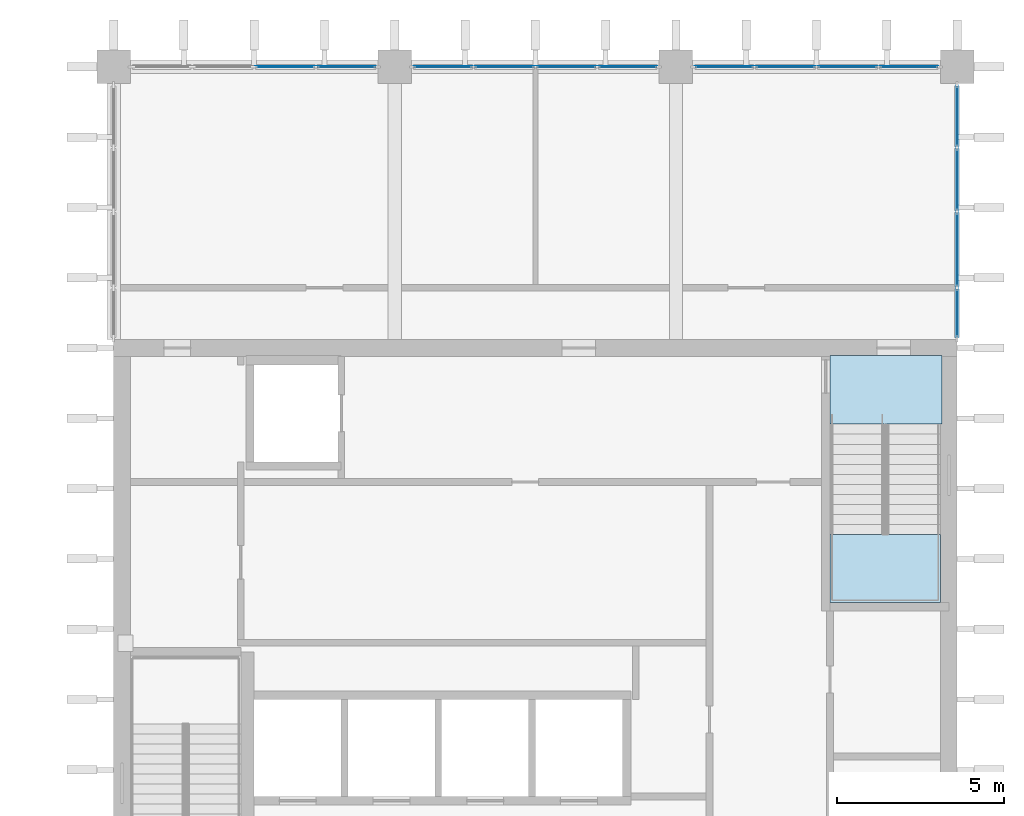
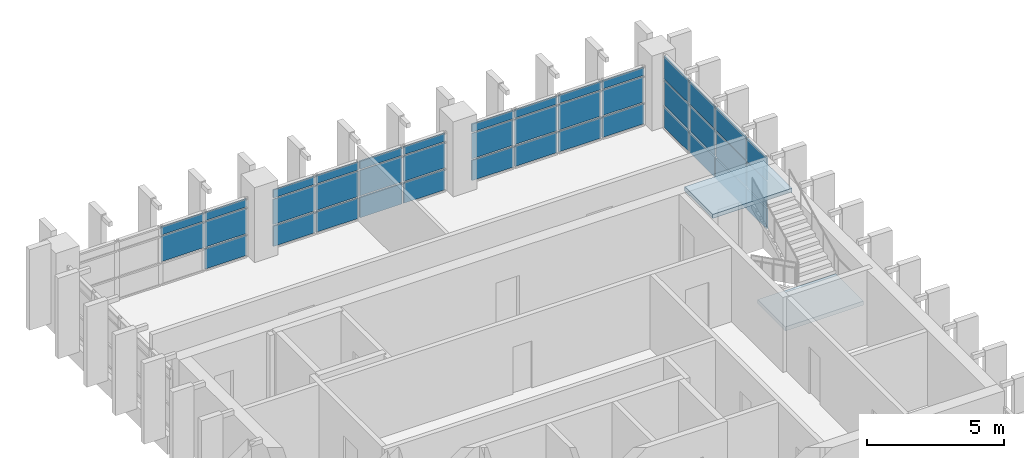
# One storey, part 10 of 24: 41 plates, 2 slabs, 5 elements without a shape of their own.
"""IFC4 building model written with IfcOpenShell, lengths in metres."""

import ifcopenshell
import ifcopenshell.guid

model = None  # the IFC model being written
_history = None  # IfcOwnerHistory: only IFC2X3 demands one
_inside = {}  # id of a spatial element -> (the spatial element, [elements in it])
_under = {}  # id of a project, library or spatial element -> (it, [spatial elements below it])
_declared = {}  # id of a project -> (the project, [libraries it declares])
_typed = {}  # id of a type object -> (the type object, [elements of that type])
_made_of = {}  # id of a material, layer set ... -> (it, [elements and type objects made of it])


def new_model(schema):
    """Start an empty IFC model of exactly this schema.

    Asked for "IFC4X3", IfcOpenShell would pick the latest addendum, in which some entities
    have other attributes; the version numbers below select the first issue.
    IFC2X3 requires an IfcOwnerHistory on every rooted entity: one is made here for all.
    """
    global model, _history
    if schema == "IFC4X3":
        model = ifcopenshell.file(schema_version=(4, 3, 0, 0))
    else:
        model = ifcopenshell.file(schema=schema)
    _inside.clear()
    _under.clear()
    _declared.clear()
    _typed.clear()
    _made_of.clear()
    _history = None
    if model.schema == "IFC2X3":
        org = make("IfcOrganization", Name="unknown")
        user = make(
            "IfcPersonAndOrganization",
            ThePerson=make("IfcPerson", FamilyName="unknown"),
            TheOrganization=org,
        )
        app = make(
            "IfcApplication",
            ApplicationDeveloper=org,
            Version="unknown",
            ApplicationFullName="unknown",
            ApplicationIdentifier="unknown",
        )
        _history = make(
            "IfcOwnerHistory",
            OwningUser=user,
            OwningApplication=app,
            ChangeAction="ADDED",
            CreationDate=0,
        )
    return model


def make(cls, **values):
    """One entity of the class cls with the attributes given. An attribute that is None is left unset."""
    return model.create_entity(
        cls, **{name: value for name, value in values.items() if value is not None}
    )


def rooted(cls, **values):
    """An entity with a GlobalId (a new one), such as an element, a storey or a relation."""
    return make(cls, GlobalId=ifcopenshell.guid.new(), OwnerHistory=_history, **values)


def si_unit(unit_type, name, prefix=None):
    """IfcSIUnit, for example si_unit("LENGTHUNIT", "METRE", prefix="MILLI")."""
    return make("IfcSIUnit", UnitType=unit_type, Prefix=prefix, Name=name)


def assignment(units):
    """IfcUnitAssignment: the units of a project."""
    return None if units is None else make("IfcUnitAssignment", Units=units)


def point(xyz):
    """IfcCartesianPoint."""
    return None if xyz is None else make("IfcCartesianPoint", Coordinates=xyz)


def direction(xyz):
    """IfcDirection."""
    return None if xyz is None else make("IfcDirection", DirectionRatios=xyz)


def frame(location, z_axis=None, x_axis=None):
    """IfcAxis2Placement3D, a coordinate frame: its origin and axes. An axis left out is left unset."""
    return make(
        "IfcAxis2Placement3D",
        Location=point(location),
        Axis=direction(z_axis),
        RefDirection=direction(x_axis),
    )


def frame_2d(location, x_axis=None):
    """IfcAxis2Placement2D, a coordinate frame in the plane: its origin and x axis."""
    return make(
        "IfcAxis2Placement2D", Location=point(location), RefDirection=direction(x_axis)
    )


def origin():
    """The frame at (0, 0, 0) with its axes left unset."""
    return frame((0.0, 0.0, 0.0))


def origin_2d():
    """The frame at (0, 0) in the plane with its x axis left unset."""
    return frame_2d((0.0, 0.0))


def place(relative_to, where):
    """IfcLocalPlacement: puts the frame where relative to a parent placement (None: the world)."""
    return make(
        "IfcLocalPlacement", PlacementRelTo=relative_to, RelativePlacement=where
    )


def context(
    kind, dimensions, precision=None, world=None, true_north=None, identifier=None
):
    """IfcGeometricRepresentationContext, for example the 3D "Model" context."""
    return make(
        "IfcGeometricRepresentationContext",
        ContextIdentifier=identifier,
        ContextType=kind,
        CoordinateSpaceDimension=dimensions,
        Precision=precision,
        WorldCoordinateSystem=world,
        TrueNorth=true_north,
    )


def subcontext(parent, identifier, kind, view, scale=None):
    """IfcGeometricRepresentationSubContext, for example "Body" below "Model"."""
    return make(
        "IfcGeometricRepresentationSubContext",
        ContextIdentifier=identifier,
        ContextType=kind,
        ParentContext=parent,
        TargetScale=scale,
        TargetView=view,
    )


def project(units=None, contexts=None):
    """IfcProject with its units and contexts."""
    return rooted(
        "IfcProject",
        Name="project",
        RepresentationContexts=contexts,
        UnitsInContext=assignment(units),
    )


def spatial(cls, under=None, at=None, **own):
    """A site, building, storey or space (cls), placed at a placement, below another one or the project."""
    s = rooted(cls, ObjectPlacement=at, **own)
    if under is not None:
        _under.setdefault(under.id(), (under, []))[1].append(s)
    return s


def polyline(points):
    """IfcPolyline through the points."""
    return make("IfcPolyline", Points=[point(p) for p in points])


def profile(cls, at=None, kind="AREA", **sizes):
    """A parametric profile (cls). Its sizes go by their IFC names, for example OverallWidth=200.0."""
    return make(cls, ProfileType=kind, Position=at, **sizes)


def rectangle(**sizes):
    """IfcRectangleProfileDef."""
    return profile("IfcRectangleProfileDef", **sizes)


def outline(outer, holes=None, kind="AREA"):
    """IfcArbitraryClosedProfileDef: a profile drawn as a closed curve; with holes, ...WithVoids."""
    if holes is None:
        return make("IfcArbitraryClosedProfileDef", ProfileType=kind, OuterCurve=outer)
    return make(
        "IfcArbitraryProfileDefWithVoids",
        ProfileType=kind,
        OuterCurve=outer,
        InnerCurves=holes,
    )


def extrude(swept, where, along, depth):
    """IfcExtrudedAreaSolid: the profile swept, set in the frame where, extruded along a direction by depth."""
    return make(
        "IfcExtrudedAreaSolid",
        SweptArea=swept,
        Position=where,
        ExtrudedDirection=direction(along),
        Depth=depth,
    )


def shape(context_of_items, identifier, shape_type, items):
    """IfcShapeRepresentation: the items that make up one representation, for example the "Body"."""
    return make(
        "IfcShapeRepresentation",
        ContextOfItems=context_of_items,
        RepresentationIdentifier=identifier,
        RepresentationType=shape_type,
        Items=items,
    )


def material(Name=None, Category=None):
    """IfcMaterial."""
    return make("IfcMaterial", Name=Name, Category=Category)


def layer(
    of_material, thickness, ventilated=None, Name=None, Category=None, Priority=None
):
    """IfcMaterialLayer: one layer of a wall or slab, of a material (None: an air gap)."""
    return make(
        "IfcMaterialLayer",
        Material=of_material,
        LayerThickness=thickness,
        IsVentilated=ventilated,
        Name=Name,
        Category=Category,
        Priority=Priority,
    )


def layer_set(layers, Name=None):
    """IfcMaterialLayerSet."""
    return make("IfcMaterialLayerSet", MaterialLayers=layers, LayerSetName=Name)


def made_of(thing, what):
    """Note that an element or type object is made of a material, layer set ...; save() writes the relation."""
    if what is not None:
        _made_of.setdefault(what.id(), (what, []))[1].append(thing)
    return thing


def type_object(cls, material=None, **own):
    """A type object (cls), such as IfcWallType, which elements share."""
    return made_of(rooted(cls, **own), material)


def element(
    cls,
    number,
    at=None,
    inside=None,
    cuts=None,
    type_object=None,
    material=None,
    context=None,
    identifier="Body",
    shape_type=None,
    held_by="IfcProductDefinitionShape",
    body=None,
    shapes=None,
    **own,
):
    """One element of the class cls, such as IfcWall. Its Tag is "e" and its number.

    at: its placement. inside: the storey or other place that contains it. cuts: it is an
    opening in that element (IfcRelVoidsElement). A single representation is given by context,
    identifier, shape_type and body (its items); several are given by shapes. held_by: the class
    of the entity that holds the representations. save() writes the other relations.
    """
    e = rooted(cls, Tag="e%d" % number, ObjectPlacement=at, **own)
    if body is not None:
        shapes = [shape(context, identifier, shape_type, body)]
    if shapes is not None:
        e.Representation = make(held_by, Representations=shapes)
    if inside is not None:
        _inside.setdefault(inside.id(), (inside, []))[1].append(e)
    if cuts is not None:
        rooted(
            "IfcRelVoidsElement", RelatingBuildingElement=cuts, RelatedOpeningElement=e
        )
    if type_object is not None:
        _typed.setdefault(type_object.id(), (type_object, []))[1].append(e)
    return made_of(e, material)


def aggregate(whole, parts):
    """IfcRelAggregates: a whole, such as a stair, and the parts it consists of."""
    return rooted("IfcRelAggregates", RelatingObject=whole, RelatedObjects=parts)


def save(model, path):
    """Write the relations noted so far, then the file.

    IfcRelAggregates (storeys below a building ...), IfcRelContainedInSpatialStructure (elements
    in a storey), IfcRelDefinesByType, IfcRelAssociatesMaterial and IfcRelDeclares: one each for
    every whole, place, type object, material and project.
    """
    for whole, parts in _under.values():
        aggregate(whole, parts)
    for where, things in _inside.values():
        rooted(
            "IfcRelContainedInSpatialStructure",
            RelatedElements=things,
            RelatingStructure=where,
        )
    for kind, things in _typed.values():
        rooted("IfcRelDefinesByType", RelatedObjects=things, RelatingType=kind)
    for what, things in _made_of.values():
        rooted("IfcRelAssociatesMaterial", RelatedObjects=things, RelatingMaterial=what)
    for by, libraries in _declared.values():
        rooted("IfcRelDeclares", RelatingContext=by, RelatedDefinitions=libraries)
    model.write(path)


model = new_model("IFC4")

# Units and contexts
model_context = context("Model", 3, precision=1e-05, world=origin(), true_north=direction((0.0, 1.0)))
body_context = subcontext(model_context, "Body", "Model", "MODEL_VIEW")
ifc_project = project(units=[si_unit("LENGTHUNIT", "METRE"), si_unit("AREAUNIT", "SQUARE_METRE"), si_unit("VOLUMEUNIT", "CUBIC_METRE"), si_unit("PLANEANGLEUNIT", "RADIAN"), si_unit("MASSUNIT", "GRAM", prefix="KILO")], contexts=[model_context])

# Site, building, storey
site_placement = place(None, origin())
site = spatial("IfcSite", under=ifc_project, at=site_placement, CompositionType="ELEMENT")
building_placement = place(site_placement, origin())
building = spatial("IfcBuilding", under=site, at=building_placement, Name="Rulbaag Community and Learning Centre", CompositionType="ELEMENT")
storey_placement = place(building_placement, frame((0.0, 0.0, 14.39990234375)))
storey = spatial("IfcBuildingStorey", under=building, at=storey_placement, Name="L03", CompositionType="ELEMENT", Elevation=14.39990234375)

# Curtain wall, plates
ifc_material_1 = material(Name="Aluminium", Category="aluminium")
ifc_layer_1 = layer(ifc_material_1, 0.14990234375)
ifc_layer_set_1 = layer_set([ifc_layer_1], Name="CW-T")
curtain_wall_type = type_object("IfcCurtainWallType", Name="CW-T", PredefinedType="USERDEFINED", material=ifc_layer_set_1)
curtain_wall_1_placement = place(storey_placement, origin())
curtain_wall_1 = element("IfcCurtainWall", 1, at=curtain_wall_1_placement, inside=storey, type_object=curtain_wall_type, Name="GT-L03-01", ObjectType="UNITISED CURTAIN WALL", PredefinedType="USERDEFINED")
ifc_layer_2 = layer(ifc_material_1, 0.06005859375)
ifc_layer_set_2 = layer_set([ifc_layer_2], Name="CW-T-SPN")
plate_type_1 = type_object("IfcPlateType", Name="CW-T-SPN", PredefinedType="CURTAIN_PANEL", material=ifc_layer_set_2)
plate_1_placement = place(storey_placement, frame((147.925048828125, 117.60009765625, 2.232666015625), z_axis=(0.0, 0.0, 1.0), x_axis=(1.0, 0.0, 0.0)))
plate_1 = element("IfcPlate", 2, at=plate_1_placement, type_object=plate_type_1, Name="GT spandrel panel", PredefinedType="CURTAIN_PANEL", context=body_context, shape_type="SweptSolid", body=[
    extrude(rectangle(XDim=1.784912109375, YDim=0.06005859375, at=origin_2d()), origin(), (0.0, 0.0, 1.0), 0.3525390625),
])
plate_2_placement = place(storey_placement, frame((149.7587890625, 117.60009765625, 0.06494140625), z_axis=(0.0, 0.0, 1.0), x_axis=(1.0, 0.0, 0.0)))
plate_2 = element("IfcPlate", 3, at=plate_2_placement, type_object=plate_type_1, Name="GT spandrel panel", PredefinedType="CURTAIN_PANEL", context=body_context, shape_type="SweptSolid", body=[
    extrude(rectangle(XDim=1.75244140625, YDim=0.06005859375, at=origin_2d()), origin(), (0.0, 0.0, 1.0), 0.902587890625),
])
plate_3_placement = place(storey_placement, frame((149.7587890625, 117.60009765625, 2.232666015625), z_axis=(0.0, 0.0, 1.0), x_axis=(1.0, 0.0, 0.0)))
plate_3 = element("IfcPlate", 4, at=plate_3_placement, type_object=plate_type_1, Name="GT spandrel panel", PredefinedType="CURTAIN_PANEL", context=body_context, shape_type="SweptSolid", body=[
    extrude(rectangle(XDim=1.75244140625, YDim=0.06005859375, at=origin_2d()), origin(), (0.0, 0.0, 1.0), 0.3525390625),
])

curtain_wall_2_placement = place(storey_placement, origin())
curtain_wall_2 = element("IfcCurtainWall", 5, at=curtain_wall_2_placement, inside=storey, type_object=curtain_wall_type, Name="GT-L03-02", ObjectType="UNITISED CURTAIN WALL", PredefinedType="USERDEFINED")
plate_4_placement = place(storey_placement, frame((152.641357421875, 117.60009765625, 0.06494140625), z_axis=(0.0, 0.0, 1.0), x_axis=(1.0, 0.0, 0.0)))
plate_4 = element("IfcPlate", 6, at=plate_4_placement, type_object=plate_type_1, Name="GT spandrel panel", PredefinedType="CURTAIN_PANEL", context=body_context, shape_type="SweptSolid", body=[
    extrude(rectangle(XDim=1.75244140625, YDim=0.06005859375, at=origin_2d()), origin(), (0.0, 0.0, 1.0), 0.902587890625),
])
plate_5_placement = place(storey_placement, frame((152.641357421875, 117.60009765625, 2.232666015625), z_axis=(0.0, 0.0, 1.0), x_axis=(1.0, 0.0, 0.0)))
plate_5 = element("IfcPlate", 7, at=plate_5_placement, type_object=plate_type_1, Name="GT spandrel panel", PredefinedType="CURTAIN_PANEL", context=body_context, shape_type="SweptSolid", body=[
    extrude(rectangle(XDim=1.75244140625, YDim=0.06005859375, at=origin_2d()), origin(), (0.0, 0.0, 1.0), 0.3525390625),
])
plate_6_placement = place(storey_placement, frame((154.47509765625, 117.60009765625, 0.06494140625), z_axis=(0.0, 0.0, 1.0), x_axis=(1.0, 0.0, 0.0)))
plate_6 = element("IfcPlate", 8, at=plate_6_placement, type_object=plate_type_1, Name="GT spandrel panel", PredefinedType="CURTAIN_PANEL", context=body_context, shape_type="SweptSolid", body=[
    extrude(rectangle(XDim=1.784912109375, YDim=0.06005859375, at=origin_2d()), origin(), (0.0, 0.0, 1.0), 0.902587890625),
])
plate_7_placement = place(storey_placement, frame((154.47509765625, 117.60009765625, 2.232666015625), z_axis=(0.0, 0.0, 1.0), x_axis=(1.0, 0.0, 0.0)))
plate_7 = element("IfcPlate", 9, at=plate_7_placement, type_object=plate_type_1, Name="GT spandrel panel", PredefinedType="CURTAIN_PANEL", context=body_context, shape_type="SweptSolid", body=[
    extrude(rectangle(XDim=1.784912109375, YDim=0.06005859375, at=origin_2d()), origin(), (0.0, 0.0, 1.0), 0.3525390625),
])
plate_8_placement = place(storey_placement, frame((156.324951171875, 117.60009765625, 0.06494140625), z_axis=(0.0, 0.0, 1.0), x_axis=(1.0, 0.0, 0.0)))
plate_8 = element("IfcPlate", 10, at=plate_8_placement, type_object=plate_type_1, Name="GT spandrel panel", PredefinedType="CURTAIN_PANEL", context=body_context, shape_type="SweptSolid", body=[
    extrude(rectangle(XDim=1.784912109375, YDim=0.06005859375, at=origin_2d()), origin(), (0.0, 0.0, 1.0), 0.902587890625),
])
plate_9_placement = place(storey_placement, frame((156.324951171875, 117.60009765625, 2.232666015625), z_axis=(0.0, 0.0, 1.0), x_axis=(1.0, 0.0, 0.0)))
plate_9 = element("IfcPlate", 11, at=plate_9_placement, type_object=plate_type_1, Name="GT spandrel panel", PredefinedType="CURTAIN_PANEL", context=body_context, shape_type="SweptSolid", body=[
    extrude(rectangle(XDim=1.784912109375, YDim=0.06005859375, at=origin_2d()), origin(), (0.0, 0.0, 1.0), 0.3525390625),
])
plate_10_placement = place(storey_placement, frame((158.15869140625, 117.60009765625, 0.06494140625), z_axis=(0.0, 0.0, 1.0), x_axis=(1.0, 0.0, 0.0)))
plate_10 = element("IfcPlate", 12, at=plate_10_placement, type_object=plate_type_1, Name="GT spandrel panel", PredefinedType="CURTAIN_PANEL", context=body_context, shape_type="SweptSolid", body=[
    extrude(rectangle(XDim=1.75244140625, YDim=0.06005859375, at=origin_2d()), origin(), (0.0, 0.0, 1.0), 0.902587890625),
])
plate_11_placement = place(storey_placement, frame((158.15869140625, 117.60009765625, 2.232666015625), z_axis=(0.0, 0.0, 1.0), x_axis=(1.0, 0.0, 0.0)))
plate_11 = element("IfcPlate", 13, at=plate_11_placement, type_object=plate_type_1, Name="GT spandrel panel", PredefinedType="CURTAIN_PANEL", context=body_context, shape_type="SweptSolid", body=[
    extrude(rectangle(XDim=1.75244140625, YDim=0.06005859375, at=origin_2d()), origin(), (0.0, 0.0, 1.0), 0.3525390625),
])

curtain_wall_3_placement = place(storey_placement, origin())
curtain_wall_3 = element("IfcCurtainWall", 14, at=curtain_wall_3_placement, inside=storey, type_object=curtain_wall_type, Name="GT-L03-03", ObjectType="UNITISED CURTAIN WALL", PredefinedType="USERDEFINED")
plate_12_placement = place(storey_placement, frame((161.041259765625, 117.60009765625, 0.06494140625), z_axis=(0.0, 0.0, 1.0), x_axis=(1.0, 0.0, 0.0)))
plate_12 = element("IfcPlate", 15, at=plate_12_placement, type_object=plate_type_1, Name="GT spandrel panel", PredefinedType="CURTAIN_PANEL", context=body_context, shape_type="SweptSolid", body=[
    extrude(rectangle(XDim=1.75244140625, YDim=0.06005859375, at=origin_2d()), origin(), (0.0, 0.0, 1.0), 0.902587890625),
])
plate_13_placement = place(storey_placement, frame((161.041259765625, 117.60009765625, 2.232666015625), z_axis=(0.0, 0.0, 1.0), x_axis=(1.0, 0.0, 0.0)))
plate_13 = element("IfcPlate", 16, at=plate_13_placement, type_object=plate_type_1, Name="GT spandrel panel", PredefinedType="CURTAIN_PANEL", context=body_context, shape_type="SweptSolid", body=[
    extrude(rectangle(XDim=1.75244140625, YDim=0.06005859375, at=origin_2d()), origin(), (0.0, 0.0, 1.0), 0.3525390625),
])
plate_14_placement = place(storey_placement, frame((162.875, 117.60009765625, 0.06494140625), z_axis=(0.0, 0.0, 1.0), x_axis=(1.0, 0.0, 0.0)))
plate_14 = element("IfcPlate", 17, at=plate_14_placement, type_object=plate_type_1, Name="GT spandrel panel", PredefinedType="CURTAIN_PANEL", context=body_context, shape_type="SweptSolid", body=[
    extrude(rectangle(XDim=1.784912109375, YDim=0.06005859375, at=origin_2d()), origin(), (0.0, 0.0, 1.0), 0.902587890625),
])
plate_15_placement = place(storey_placement, frame((162.875, 117.60009765625, 2.232666015625), z_axis=(0.0, 0.0, 1.0), x_axis=(1.0, 0.0, 0.0)))
plate_15 = element("IfcPlate", 18, at=plate_15_placement, type_object=plate_type_1, Name="GT spandrel panel", PredefinedType="CURTAIN_PANEL", context=body_context, shape_type="SweptSolid", body=[
    extrude(rectangle(XDim=1.784912109375, YDim=0.06005859375, at=origin_2d()), origin(), (0.0, 0.0, 1.0), 0.3525390625),
])
plate_16_placement = place(storey_placement, frame((164.72509765625, 117.60009765625, 0.06494140625), z_axis=(0.0, 0.0, 1.0), x_axis=(1.0, 0.0, 0.0)))
plate_16 = element("IfcPlate", 19, at=plate_16_placement, type_object=plate_type_1, Name="GT spandrel panel", PredefinedType="CURTAIN_PANEL", context=body_context, shape_type="SweptSolid", body=[
    extrude(rectangle(XDim=1.784912109375, YDim=0.06005859375, at=origin_2d()), origin(), (0.0, 0.0, 1.0), 0.902587890625),
])
plate_17_placement = place(storey_placement, frame((164.72509765625, 117.60009765625, 2.232666015625), z_axis=(0.0, 0.0, 1.0), x_axis=(1.0, 0.0, 0.0)))
plate_17 = element("IfcPlate", 20, at=plate_17_placement, type_object=plate_type_1, Name="GT spandrel panel", PredefinedType="CURTAIN_PANEL", context=body_context, shape_type="SweptSolid", body=[
    extrude(rectangle(XDim=1.784912109375, YDim=0.06005859375, at=origin_2d()), origin(), (0.0, 0.0, 1.0), 0.3525390625),
])
plate_18_placement = place(storey_placement, frame((166.558837890625, 117.60009765625, 0.06494140625), z_axis=(0.0, 0.0, 1.0), x_axis=(1.0, 0.0, 0.0)))
plate_18 = element("IfcPlate", 21, at=plate_18_placement, type_object=plate_type_1, Name="GT spandrel panel", PredefinedType="CURTAIN_PANEL", context=body_context, shape_type="SweptSolid", body=[
    extrude(rectangle(XDim=1.75244140625, YDim=0.06005859375, at=origin_2d()), origin(), (0.0, 0.0, 1.0), 0.902587890625),
])
plate_19_placement = place(storey_placement, frame((166.558837890625, 117.60009765625, 2.232666015625), z_axis=(0.0, 0.0, 1.0), x_axis=(1.0, 0.0, 0.0)))
plate_19 = element("IfcPlate", 22, at=plate_19_placement, type_object=plate_type_1, Name="GT spandrel panel", PredefinedType="CURTAIN_PANEL", context=body_context, shape_type="SweptSolid", body=[
    extrude(rectangle(XDim=1.75244140625, YDim=0.06005859375, at=origin_2d()), origin(), (0.0, 0.0, 1.0), 0.3525390625),
])

curtain_wall_4_placement = place(storey_placement, origin())
curtain_wall_4 = element("IfcCurtainWall", 23, at=curtain_wall_4_placement, inside=storey, type_object=curtain_wall_type, Name="GT-L03-06", ObjectType="UNITISED CURTAIN WALL", PredefinedType="USERDEFINED")
plate_20_placement = place(storey_placement, frame((168.0, 110.2412109375, 0.06494140625), z_axis=(0.0, 0.0, 1.0), x_axis=(0.0, 1.0, 0.0)))
plate_20 = element("IfcPlate", 24, at=plate_20_placement, type_object=plate_type_1, Name="GT spandrel panel", PredefinedType="CURTAIN_PANEL", context=body_context, shape_type="SweptSolid", body=[
    extrude(rectangle(XDim=1.452392578125, YDim=0.06005859375, at=origin_2d()), origin(), (0.0, 0.0, 1.0), 0.902587890625),
])
plate_21_placement = place(storey_placement, frame((168.0, 110.2412109375, 2.232666015625), z_axis=(0.0, 0.0, 1.0), x_axis=(0.0, 1.0, 0.0)))
plate_21 = element("IfcPlate", 25, at=plate_21_placement, type_object=plate_type_1, Name="GT spandrel panel", PredefinedType="CURTAIN_PANEL", context=body_context, shape_type="SweptSolid", body=[
    extrude(rectangle(XDim=1.452392578125, YDim=0.06005859375, at=origin_2d()), origin(), (0.0, 0.0, 1.0), 1.00244140625),
])
plate_22_placement = place(storey_placement, frame((168.0, 112.137451171875, 0.06494140625), z_axis=(0.0, 0.0, 1.0), x_axis=(0.0, 1.0, 0.0)))
plate_22 = element("IfcPlate", 26, at=plate_22_placement, type_object=plate_type_1, Name="GT spandrel panel", PredefinedType="CURTAIN_PANEL", context=body_context, shape_type="SweptSolid", body=[
    extrude(rectangle(XDim=2.2099609375, YDim=0.06005859375, at=origin_2d()), origin(), (0.0, 0.0, 1.0), 0.902587890625),
])
plate_23_placement = place(storey_placement, frame((168.0, 112.137451171875, 2.232666015625), z_axis=(0.0, 0.0, 1.0), x_axis=(0.0, 1.0, 0.0)))
plate_23 = element("IfcPlate", 27, at=plate_23_placement, type_object=plate_type_1, Name="GT spandrel panel", PredefinedType="CURTAIN_PANEL", context=body_context, shape_type="SweptSolid", body=[
    extrude(rectangle(XDim=2.2099609375, YDim=0.06005859375, at=origin_2d()), origin(), (0.0, 0.0, 1.0), 1.00244140625),
])
plate_24_placement = place(storey_placement, frame((168.0, 114.231201171875, 0.06494140625), z_axis=(0.0, 0.0, 1.0), x_axis=(0.0, 1.0, 0.0)))
plate_24 = element("IfcPlate", 28, at=plate_24_placement, type_object=plate_type_1, Name="GT spandrel panel", PredefinedType="CURTAIN_PANEL", context=body_context, shape_type="SweptSolid", body=[
    extrude(rectangle(XDim=1.847412109375, YDim=0.06005859375, at=origin_2d()), origin(), (0.0, 0.0, 1.0), 0.902587890625),
])
plate_25_placement = place(storey_placement, frame((168.0, 114.231201171875, 2.232666015625), z_axis=(0.0, 0.0, 1.0), x_axis=(0.0, 1.0, 0.0)))
plate_25 = element("IfcPlate", 29, at=plate_25_placement, type_object=plate_type_1, Name="GT spandrel panel", PredefinedType="CURTAIN_PANEL", context=body_context, shape_type="SweptSolid", body=[
    extrude(rectangle(XDim=1.847412109375, YDim=0.06005859375, at=origin_2d()), origin(), (0.0, 0.0, 1.0), 1.00244140625),
])
plate_26_placement = place(storey_placement, frame((168.0, 116.12744140625, 0.06494140625), z_axis=(0.0, 0.0, 1.0), x_axis=(0.0, 1.0, 0.0)))
plate_26 = element("IfcPlate", 30, at=plate_26_placement, type_object=plate_type_1, Name="GT spandrel panel", PredefinedType="CURTAIN_PANEL", context=body_context, shape_type="SweptSolid", body=[
    extrude(rectangle(XDim=1.81494140625, YDim=0.06005859375, at=origin_2d()), origin(), (0.0, 0.0, 1.0), 0.902587890625),
])
plate_27_placement = place(storey_placement, frame((168.0, 116.12744140625, 2.232666015625), z_axis=(0.0, 0.0, 1.0), x_axis=(0.0, 1.0, 0.0)))
plate_27 = element("IfcPlate", 31, at=plate_27_placement, type_object=plate_type_1, Name="GT spandrel panel", PredefinedType="CURTAIN_PANEL", context=body_context, shape_type="SweptSolid", body=[
    extrude(rectangle(XDim=1.81494140625, YDim=0.06005859375, at=origin_2d()), origin(), (0.0, 0.0, 1.0), 1.00244140625),
])

# Plate
ifc_material_2 = material(Name="Glass", Category="glass")
ifc_layer_3 = layer(ifc_material_2, 0.028076171875)
ifc_layer_set_3 = layer_set([ifc_layer_3], Name="CW-T-VIS")
plate_type_2 = type_object("IfcPlateType", Name="CW-T-VIS", PredefinedType="CURTAIN_PANEL", material=ifc_layer_set_3)
plate_28_placement = place(storey_placement, frame((147.925048828125, 117.60009765625, 1.03271484375), z_axis=(0.0, 0.0, 1.0), x_axis=(1.0, 0.0, 0.0)))
plate_28 = element("IfcPlate", 32, at=plate_28_placement, type_object=plate_type_2, Name="GT vision panel", PredefinedType="CURTAIN_PANEL", context=body_context, shape_type="SweptSolid", body=[
    extrude(rectangle(XDim=1.784912109375, YDim=0.028076171875, at=origin_2d()), origin(), (0.0, 0.0, 1.0), 1.135009765625),
])

plate_29_placement = place(storey_placement, frame((149.7587890625, 117.60009765625, 1.03271484375), z_axis=(0.0, 0.0, 1.0), x_axis=(1.0, 0.0, 0.0)))
plate_29 = element("IfcPlate", 33, at=plate_29_placement, type_object=plate_type_2, Name="GT vision panel", PredefinedType="CURTAIN_PANEL", context=body_context, shape_type="SweptSolid", body=[
    extrude(rectangle(XDim=1.75244140625, YDim=0.028076171875, at=origin_2d()), origin(), (0.0, 0.0, 1.0), 1.135009765625),
])

aggregate(curtain_wall_1, [plate_28, plate_1, plate_2, plate_29, plate_3])

plate_30_placement = place(storey_placement, frame((152.641357421875, 117.60009765625, 1.03271484375), z_axis=(0.0, 0.0, 1.0), x_axis=(1.0, 0.0, 0.0)))
plate_30 = element("IfcPlate", 34, at=plate_30_placement, type_object=plate_type_2, Name="GT vision panel", PredefinedType="CURTAIN_PANEL", context=body_context, shape_type="SweptSolid", body=[
    extrude(rectangle(XDim=1.75244140625, YDim=0.028076171875, at=origin_2d()), origin(), (0.0, 0.0, 1.0), 1.135009765625),
])

plate_31_placement = place(storey_placement, frame((154.47509765625, 117.60009765625, 1.03271484375), z_axis=(0.0, 0.0, 1.0), x_axis=(1.0, 0.0, 0.0)))
plate_31 = element("IfcPlate", 35, at=plate_31_placement, type_object=plate_type_2, Name="GT vision panel", PredefinedType="CURTAIN_PANEL", context=body_context, shape_type="SweptSolid", body=[
    extrude(rectangle(XDim=1.784912109375, YDim=0.028076171875, at=origin_2d()), origin(), (0.0, 0.0, 1.0), 1.135009765625),
])

plate_32_placement = place(storey_placement, frame((156.324951171875, 117.60009765625, 1.03271484375), z_axis=(0.0, 0.0, 1.0), x_axis=(1.0, 0.0, 0.0)))
plate_32 = element("IfcPlate", 36, at=plate_32_placement, type_object=plate_type_2, Name="GT vision panel", PredefinedType="CURTAIN_PANEL", context=body_context, shape_type="SweptSolid", body=[
    extrude(rectangle(XDim=1.784912109375, YDim=0.028076171875, at=origin_2d()), origin(), (0.0, 0.0, 1.0), 1.135009765625),
])

plate_33_placement = place(storey_placement, frame((158.15869140625, 117.60009765625, 1.03271484375), z_axis=(0.0, 0.0, 1.0), x_axis=(1.0, 0.0, 0.0)))
plate_33 = element("IfcPlate", 37, at=plate_33_placement, type_object=plate_type_2, Name="GT vision panel", PredefinedType="CURTAIN_PANEL", context=body_context, shape_type="SweptSolid", body=[
    extrude(rectangle(XDim=1.75244140625, YDim=0.028076171875, at=origin_2d()), origin(), (0.0, 0.0, 1.0), 1.135009765625),
])

aggregate(curtain_wall_2, [plate_4, plate_30, plate_5, plate_6, plate_31, plate_7, plate_8, plate_32, plate_9, plate_10, plate_33, plate_11])

plate_34_placement = place(storey_placement, frame((161.041259765625, 117.60009765625, 1.03271484375), z_axis=(0.0, 0.0, 1.0), x_axis=(1.0, 0.0, 0.0)))
plate_34 = element("IfcPlate", 38, at=plate_34_placement, type_object=plate_type_2, Name="GT vision panel", PredefinedType="CURTAIN_PANEL", context=body_context, shape_type="SweptSolid", body=[
    extrude(rectangle(XDim=1.75244140625, YDim=0.028076171875, at=origin_2d()), origin(), (0.0, 0.0, 1.0), 1.135009765625),
])

plate_35_placement = place(storey_placement, frame((162.875, 117.60009765625, 1.03271484375), z_axis=(0.0, 0.0, 1.0), x_axis=(1.0, 0.0, 0.0)))
plate_35 = element("IfcPlate", 39, at=plate_35_placement, type_object=plate_type_2, Name="GT vision panel", PredefinedType="CURTAIN_PANEL", context=body_context, shape_type="SweptSolid", body=[
    extrude(rectangle(XDim=1.784912109375, YDim=0.028076171875, at=origin_2d()), origin(), (0.0, 0.0, 1.0), 1.135009765625),
])

plate_36_placement = place(storey_placement, frame((164.72509765625, 117.60009765625, 1.03271484375), z_axis=(0.0, 0.0, 1.0), x_axis=(1.0, 0.0, 0.0)))
plate_36 = element("IfcPlate", 40, at=plate_36_placement, type_object=plate_type_2, Name="GT vision panel", PredefinedType="CURTAIN_PANEL", context=body_context, shape_type="SweptSolid", body=[
    extrude(rectangle(XDim=1.784912109375, YDim=0.028076171875, at=origin_2d()), origin(), (0.0, 0.0, 1.0), 1.135009765625),
])

plate_37_placement = place(storey_placement, frame((166.558837890625, 117.60009765625, 1.03271484375), z_axis=(0.0, 0.0, 1.0), x_axis=(1.0, 0.0, 0.0)))
plate_37 = element("IfcPlate", 41, at=plate_37_placement, type_object=plate_type_2, Name="GT vision panel", PredefinedType="CURTAIN_PANEL", context=body_context, shape_type="SweptSolid", body=[
    extrude(rectangle(XDim=1.75244140625, YDim=0.028076171875, at=origin_2d()), origin(), (0.0, 0.0, 1.0), 1.135009765625),
])

aggregate(curtain_wall_3, [plate_12, plate_34, plate_13, plate_14, plate_35, plate_15, plate_16, plate_36, plate_17, plate_18, plate_37, plate_19])

plate_38_placement = place(storey_placement, frame((168.0, 110.2412109375, 1.03271484375), z_axis=(0.0, 0.0, 1.0), x_axis=(0.0, 1.0, 0.0)))
plate_38 = element("IfcPlate", 42, at=plate_38_placement, type_object=plate_type_2, Name="GT vision panel", PredefinedType="CURTAIN_PANEL", context=body_context, shape_type="SweptSolid", body=[
    extrude(rectangle(XDim=1.452392578125, YDim=0.028076171875, at=origin_2d()), origin(), (0.0, 0.0, 1.0), 1.135009765625),
])

plate_39_placement = place(storey_placement, frame((168.0, 112.137451171875, 1.03271484375), z_axis=(0.0, 0.0, 1.0), x_axis=(0.0, 1.0, 0.0)))
plate_39 = element("IfcPlate", 43, at=plate_39_placement, type_object=plate_type_2, Name="GT vision panel", PredefinedType="CURTAIN_PANEL", context=body_context, shape_type="SweptSolid", body=[
    extrude(rectangle(XDim=2.2099609375, YDim=0.028076171875, at=origin_2d()), origin(), (0.0, 0.0, 1.0), 1.135009765625),
])

plate_40_placement = place(storey_placement, frame((168.0, 114.231201171875, 1.03271484375), z_axis=(0.0, 0.0, 1.0), x_axis=(0.0, 1.0, 0.0)))
plate_40 = element("IfcPlate", 44, at=plate_40_placement, type_object=plate_type_2, Name="GT vision panel", PredefinedType="CURTAIN_PANEL", context=body_context, shape_type="SweptSolid", body=[
    extrude(rectangle(XDim=1.847412109375, YDim=0.028076171875, at=origin_2d()), origin(), (0.0, 0.0, 1.0), 1.135009765625),
])

plate_41_placement = place(storey_placement, frame((168.0, 116.12744140625, 1.03271484375), z_axis=(0.0, 0.0, 1.0), x_axis=(0.0, 1.0, 0.0)))
plate_41 = element("IfcPlate", 45, at=plate_41_placement, type_object=plate_type_2, Name="GT vision panel", PredefinedType="CURTAIN_PANEL", context=body_context, shape_type="SweptSolid", body=[
    extrude(rectangle(XDim=1.81494140625, YDim=0.028076171875, at=origin_2d()), origin(), (0.0, 0.0, 1.0), 1.135009765625),
])

aggregate(curtain_wall_4, [plate_20, plate_38, plate_21, plate_22, plate_39, plate_23, plate_24, plate_40, plate_25, plate_26, plate_41, plate_27])

# Stair, slabs
ifc_material_3 = material(Name="Concrete M40", Category="concrete")
stair_type = type_object("IfcStairType", Name="ST-1650 STAIR 1650 WIDE", PredefinedType="HALF_TURN_STAIR", material=ifc_material_3)
stair_placement = place(storey_placement, origin())
stair = element("IfcStair", 46, at=stair_placement, inside=storey, type_object=stair_type, Name="Stair ST2 L03", PredefinedType="HALF_TURN_STAIR")
ifc_layer_4 = layer(ifc_material_3, 0.179931640625)
ifc_layer_set_4 = layer_set([ifc_layer_4], Name="LN-180 LANDING 180 Concrete M40")
slab_type = type_object("IfcSlabType", Name="LN-180 LANDING 180 Concrete M40", PredefinedType="LANDING", material=ifc_layer_set_4)
slab_1_placement = place(storey_placement, frame((0.0, 0.0, 1.6201171875)))
slab_1 = element("IfcSlab", 47, at=slab_1_placement, type_object=slab_type, Name="ST2 landing 1", PredefinedType="LANDING", context=body_context, shape_type="SweptSolid", body=[
    extrude(outline(polyline([(164.199951171875, 101.60009765625), (164.199951171875, 103.625), (167.5, 103.625), (167.5, 101.60009765625), (164.199951171875, 101.60009765625)])), origin(), (0.0, 0.0, 1.0), 0.179931640625),
])
slab_2_placement = place(storey_placement, frame((0.0, 0.0, 3.420166015625)))
slab_2 = element("IfcSlab", 48, at=slab_2_placement, type_object=slab_type, Name="ST2 landing 2", PredefinedType="LANDING", context=body_context, shape_type="SweptSolid", body=[
    extrude(outline(polyline([(164.199951171875, 106.925048828125), (164.199951171875, 108.97509765625), (167.550048828125, 108.97509765625), (167.550048828125, 106.925048828125), (164.199951171875, 106.925048828125)])), origin(), (0.0, 0.0, 1.0), 0.179931640625),
])
aggregate(stair, [slab_1, slab_2])

save(model, "model.ifc")
